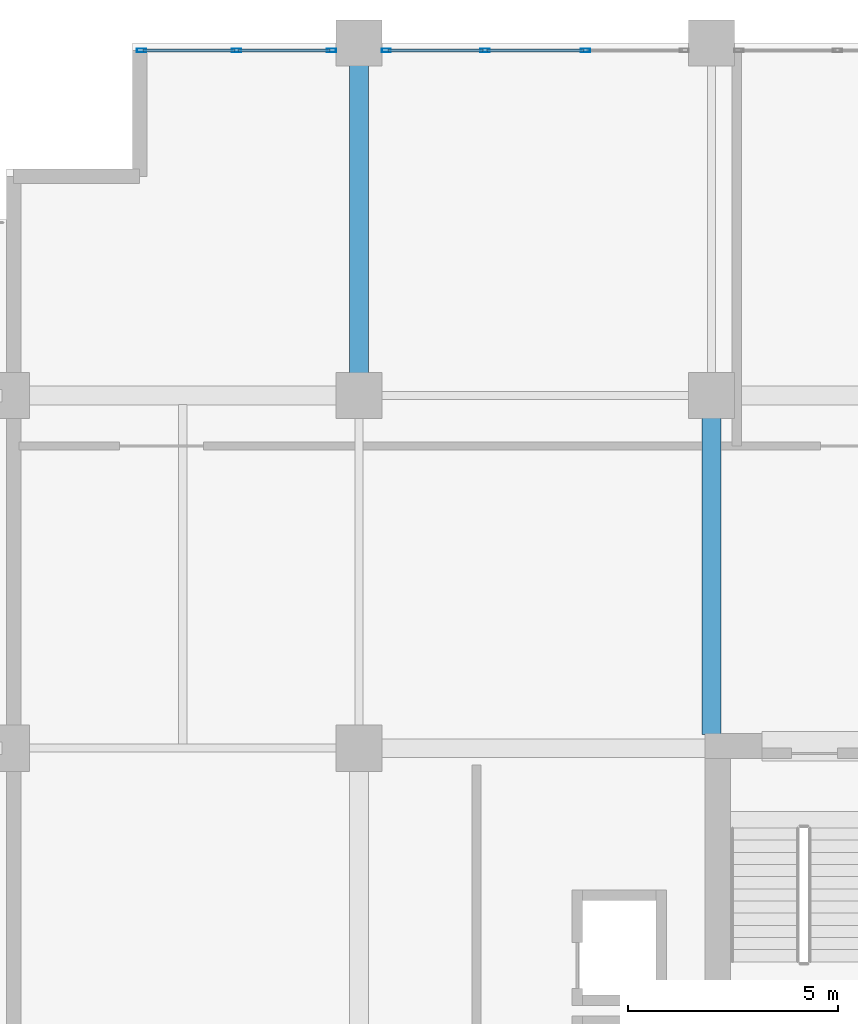
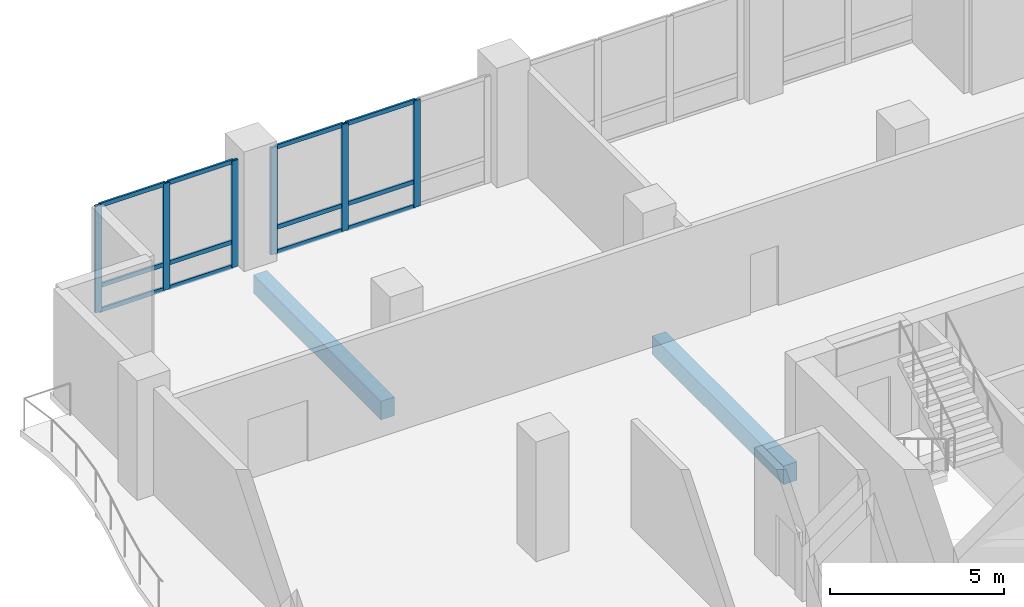
# One storey, part 6 of 21: 18 members, 2 beams, 2 elements without a shape of their own.
"""IFC4 building model written with IfcOpenShell, lengths in metres."""

import ifcopenshell
import ifcopenshell.guid

model = None  # the IFC model being written
_history = None  # IfcOwnerHistory: only IFC2X3 demands one
_inside = {}  # id of a spatial element -> (the spatial element, [elements in it])
_under = {}  # id of a project, library or spatial element -> (it, [spatial elements below it])
_declared = {}  # id of a project -> (the project, [libraries it declares])
_typed = {}  # id of a type object -> (the type object, [elements of that type])
_made_of = {}  # id of a material, layer set ... -> (it, [elements and type objects made of it])


def new_model(schema):
    """Start an empty IFC model of exactly this schema.

    Asked for "IFC4X3", IfcOpenShell would pick the latest addendum, in which some entities
    have other attributes; the version numbers below select the first issue.
    IFC2X3 requires an IfcOwnerHistory on every rooted entity: one is made here for all.
    """
    global model, _history
    if schema == "IFC4X3":
        model = ifcopenshell.file(schema_version=(4, 3, 0, 0))
    else:
        model = ifcopenshell.file(schema=schema)
    _inside.clear()
    _under.clear()
    _declared.clear()
    _typed.clear()
    _made_of.clear()
    _history = None
    if model.schema == "IFC2X3":
        org = make("IfcOrganization", Name="unknown")
        user = make(
            "IfcPersonAndOrganization",
            ThePerson=make("IfcPerson", FamilyName="unknown"),
            TheOrganization=org,
        )
        app = make(
            "IfcApplication",
            ApplicationDeveloper=org,
            Version="unknown",
            ApplicationFullName="unknown",
            ApplicationIdentifier="unknown",
        )
        _history = make(
            "IfcOwnerHistory",
            OwningUser=user,
            OwningApplication=app,
            ChangeAction="ADDED",
            CreationDate=0,
        )
    return model


def make(cls, **values):
    """One entity of the class cls with the attributes given. An attribute that is None is left unset."""
    return model.create_entity(
        cls, **{name: value for name, value in values.items() if value is not None}
    )


def rooted(cls, **values):
    """An entity with a GlobalId (a new one), such as an element, a storey or a relation."""
    return make(cls, GlobalId=ifcopenshell.guid.new(), OwnerHistory=_history, **values)


def si_unit(unit_type, name, prefix=None):
    """IfcSIUnit, for example si_unit("LENGTHUNIT", "METRE", prefix="MILLI")."""
    return make("IfcSIUnit", UnitType=unit_type, Prefix=prefix, Name=name)


def assignment(units):
    """IfcUnitAssignment: the units of a project."""
    return None if units is None else make("IfcUnitAssignment", Units=units)


def point(xyz):
    """IfcCartesianPoint."""
    return None if xyz is None else make("IfcCartesianPoint", Coordinates=xyz)


def direction(xyz):
    """IfcDirection."""
    return None if xyz is None else make("IfcDirection", DirectionRatios=xyz)


def frame(location, z_axis=None, x_axis=None):
    """IfcAxis2Placement3D, a coordinate frame: its origin and axes. An axis left out is left unset."""
    return make(
        "IfcAxis2Placement3D",
        Location=point(location),
        Axis=direction(z_axis),
        RefDirection=direction(x_axis),
    )


def frame_2d(location, x_axis=None):
    """IfcAxis2Placement2D, a coordinate frame in the plane: its origin and x axis."""
    return make(
        "IfcAxis2Placement2D", Location=point(location), RefDirection=direction(x_axis)
    )


def origin():
    """The frame at (0, 0, 0) with its axes left unset."""
    return frame((0.0, 0.0, 0.0))


def origin_2d():
    """The frame at (0, 0) in the plane with its x axis left unset."""
    return frame_2d((0.0, 0.0))


def place(relative_to, where):
    """IfcLocalPlacement: puts the frame where relative to a parent placement (None: the world)."""
    return make(
        "IfcLocalPlacement", PlacementRelTo=relative_to, RelativePlacement=where
    )


def context(
    kind, dimensions, precision=None, world=None, true_north=None, identifier=None
):
    """IfcGeometricRepresentationContext, for example the 3D "Model" context."""
    return make(
        "IfcGeometricRepresentationContext",
        ContextIdentifier=identifier,
        ContextType=kind,
        CoordinateSpaceDimension=dimensions,
        Precision=precision,
        WorldCoordinateSystem=world,
        TrueNorth=true_north,
    )


def subcontext(parent, identifier, kind, view, scale=None):
    """IfcGeometricRepresentationSubContext, for example "Body" below "Model"."""
    return make(
        "IfcGeometricRepresentationSubContext",
        ContextIdentifier=identifier,
        ContextType=kind,
        ParentContext=parent,
        TargetScale=scale,
        TargetView=view,
    )


def project(units=None, contexts=None):
    """IfcProject with its units and contexts."""
    return rooted(
        "IfcProject",
        Name="project",
        RepresentationContexts=contexts,
        UnitsInContext=assignment(units),
    )


def spatial(cls, under=None, at=None, **own):
    """A site, building, storey or space (cls), placed at a placement, below another one or the project."""
    s = rooted(cls, ObjectPlacement=at, **own)
    if under is not None:
        _under.setdefault(under.id(), (under, []))[1].append(s)
    return s


def profile(cls, at=None, kind="AREA", **sizes):
    """A parametric profile (cls). Its sizes go by their IFC names, for example OverallWidth=200.0."""
    return make(cls, ProfileType=kind, Position=at, **sizes)


def rectangle(**sizes):
    """IfcRectangleProfileDef."""
    return profile("IfcRectangleProfileDef", **sizes)


def hollow_rectangle(**sizes):
    """IfcRectangleHollowProfileDef."""
    return profile("IfcRectangleHollowProfileDef", **sizes)


def extrude(swept, where, along, depth):
    """IfcExtrudedAreaSolid: the profile swept, set in the frame where, extruded along a direction by depth."""
    return make(
        "IfcExtrudedAreaSolid",
        SweptArea=swept,
        Position=where,
        ExtrudedDirection=direction(along),
        Depth=depth,
    )


def shape(context_of_items, identifier, shape_type, items):
    """IfcShapeRepresentation: the items that make up one representation, for example the "Body"."""
    return make(
        "IfcShapeRepresentation",
        ContextOfItems=context_of_items,
        RepresentationIdentifier=identifier,
        RepresentationType=shape_type,
        Items=items,
    )


def material(Name=None, Category=None):
    """IfcMaterial."""
    return make("IfcMaterial", Name=Name, Category=Category)


def layer(
    of_material, thickness, ventilated=None, Name=None, Category=None, Priority=None
):
    """IfcMaterialLayer: one layer of a wall or slab, of a material (None: an air gap)."""
    return make(
        "IfcMaterialLayer",
        Material=of_material,
        LayerThickness=thickness,
        IsVentilated=ventilated,
        Name=Name,
        Category=Category,
        Priority=Priority,
    )


def layer_set(layers, Name=None):
    """IfcMaterialLayerSet."""
    return make("IfcMaterialLayerSet", MaterialLayers=layers, LayerSetName=Name)


def material_profile(
    of_material, cross_section, Name=None, Category=None, Priority=None
):
    """IfcMaterialProfile: a cross section and its material."""
    return make(
        "IfcMaterialProfile",
        Name=Name,
        Material=of_material,
        Profile=cross_section,
        Priority=Priority,
        Category=Category,
    )


def profile_set(profiles, Name=None, composite=None):
    """IfcMaterialProfileSet."""
    return make(
        "IfcMaterialProfileSet",
        Name=Name,
        MaterialProfiles=profiles,
        CompositeProfile=composite,
    )


def made_of(thing, what):
    """Note that an element or type object is made of a material, layer set ...; save() writes the relation."""
    if what is not None:
        _made_of.setdefault(what.id(), (what, []))[1].append(thing)
    return thing


def type_object(cls, material=None, **own):
    """A type object (cls), such as IfcWallType, which elements share."""
    return made_of(rooted(cls, **own), material)


def element(
    cls,
    number,
    at=None,
    inside=None,
    cuts=None,
    type_object=None,
    material=None,
    context=None,
    identifier="Body",
    shape_type=None,
    held_by="IfcProductDefinitionShape",
    body=None,
    shapes=None,
    **own,
):
    """One element of the class cls, such as IfcWall. Its Tag is "e" and its number.

    at: its placement. inside: the storey or other place that contains it. cuts: it is an
    opening in that element (IfcRelVoidsElement). A single representation is given by context,
    identifier, shape_type and body (its items); several are given by shapes. held_by: the class
    of the entity that holds the representations. save() writes the other relations.
    """
    e = rooted(cls, Tag="e%d" % number, ObjectPlacement=at, **own)
    if body is not None:
        shapes = [shape(context, identifier, shape_type, body)]
    if shapes is not None:
        e.Representation = make(held_by, Representations=shapes)
    if inside is not None:
        _inside.setdefault(inside.id(), (inside, []))[1].append(e)
    if cuts is not None:
        rooted(
            "IfcRelVoidsElement", RelatingBuildingElement=cuts, RelatedOpeningElement=e
        )
    if type_object is not None:
        _typed.setdefault(type_object.id(), (type_object, []))[1].append(e)
    return made_of(e, material)


def aggregate(whole, parts):
    """IfcRelAggregates: a whole, such as a stair, and the parts it consists of."""
    return rooted("IfcRelAggregates", RelatingObject=whole, RelatedObjects=parts)


def save(model, path):
    """Write the relations noted so far, then the file.

    IfcRelAggregates (storeys below a building ...), IfcRelContainedInSpatialStructure (elements
    in a storey), IfcRelDefinesByType, IfcRelAssociatesMaterial and IfcRelDeclares: one each for
    every whole, place, type object, material and project.
    """
    for whole, parts in _under.values():
        aggregate(whole, parts)
    for where, things in _inside.values():
        rooted(
            "IfcRelContainedInSpatialStructure",
            RelatedElements=things,
            RelatingStructure=where,
        )
    for kind, things in _typed.values():
        rooted("IfcRelDefinesByType", RelatedObjects=things, RelatingType=kind)
    for what, things in _made_of.values():
        rooted("IfcRelAssociatesMaterial", RelatedObjects=things, RelatingMaterial=what)
    for by, libraries in _declared.values():
        rooted("IfcRelDeclares", RelatingContext=by, RelatedDefinitions=libraries)
    model.write(path)


model = new_model("IFC4")

# Units and contexts
model_context = context("Model", 3, precision=1e-05, world=origin(), true_north=direction((0.0, 1.0)))
body_context = subcontext(model_context, "Body", "Model", "MODEL_VIEW")
ifc_project = project(units=[si_unit("LENGTHUNIT", "METRE"), si_unit("AREAUNIT", "SQUARE_METRE"), si_unit("VOLUMEUNIT", "CUBIC_METRE"), si_unit("PLANEANGLEUNIT", "RADIAN"), si_unit("MASSUNIT", "GRAM", prefix="KILO")], contexts=[model_context])

# Site, building, storey
site_placement = place(None, origin())
site = spatial("IfcSite", under=ifc_project, at=site_placement, CompositionType="ELEMENT")
building_placement = place(site_placement, origin())
building = spatial("IfcBuilding", under=site, at=building_placement, Name="Koriwani Terraces Tower", CompositionType="ELEMENT")
storey_placement = place(building_placement, frame((0.0, 0.0, 224.0)))
storey = spatial("IfcBuildingStorey", under=building, at=storey_placement, Name="L55", CompositionType="ELEMENT", Elevation=224.0)

# Beams
ifc_material_1 = material(Name="Concrete C50/60", Category="concrete")
ifc_material_profile_1 = material_profile(ifc_material_1, rectangle(XDim=0.449951171875, YDim=0.64990234375, at=origin_2d()), Name="Concrete C50/60", Category="LoadBearing")
ifc_profile_set_1 = profile_set([ifc_material_profile_1], Name="Concrete C50/60")
beam_type = type_object("IfcBeamType", Name="BEAM_RC_GRID_450X650", PredefinedType="BEAM", material=ifc_profile_set_1)
beam_1_placement = place(storey_placement, frame((8.39990234375, 67.72998046875, -0.554931640625), z_axis=(0.0, 1.0, 0.0), x_axis=(-1.0, 0.0, 0.0)))
element("IfcBeam", 1, at=beam_1_placement, inside=storey, type_object=beam_type, Name="L55 Grid Beam 2 (67.2-75.6m)", PredefinedType="BEAM", context=body_context, shape_type="SweptSolid", body=[
    extrude(rectangle(XDim=0.449951171875, YDim=0.64990234375, at=origin_2d()), origin(), (0.0, 0.0, 1.0), 7.340087890625),
])
beam_2_placement = place(storey_placement, frame((16.800048828125, 59.1298828125, -0.554931640625), z_axis=(0.0, 1.0, 0.0), x_axis=(-1.0, 0.0, 0.0)))
element("IfcBeam", 2, at=beam_2_placement, inside=storey, type_object=beam_type, Name="L55 Grid Beam 3 (58.8-67.2m)", PredefinedType="BEAM", context=body_context, shape_type="SweptSolid", body=[
    extrude(rectangle(XDim=0.449951171875, YDim=0.64990234375, at=origin_2d()), origin(), (0.0, 0.0, 1.0), 7.5400390625),
])

# Curtain wall, members
ifc_material_2 = material(Name="Anodised Bronze Aluminium", Category="aluminium")
ifc_layer = layer(ifc_material_2, 0.219970703125, Name="Anodised Bronze Aluminium")
ifc_layer_set = layer_set([ifc_layer], Name="Anodised Bronze Aluminium")
curtain_wall_type = type_object("IfcCurtainWallType", Name="CW_SKY_LOUNGE", PredefinedType="NOTDEFINED", material=ifc_layer_set)
curtain_wall_1_placement = place(storey_placement, origin())
curtain_wall_1 = element("IfcCurtainWall", 3, at=curtain_wall_1_placement, inside=storey, type_object=curtain_wall_type, Name="L55 Unitised Curtain Wall (N_TIP) Bay 1", PredefinedType="NOTDEFINED")
ifc_material_profile_2 = material_profile(ifc_material_2, hollow_rectangle(XDim=0.0849609375, YDim=0.219970703125, WallThickness=0.008056640625, at=origin_2d()), Name="Anodised Bronze Aluminium", Category="LoadBearing")
ifc_profile_set_2 = profile_set([ifc_material_profile_2], Name="Anodised Bronze Aluminium")
member_type_1 = type_object("IfcMemberType", Name="CW_MULLION_220X85", PredefinedType="MULLION", material=ifc_profile_set_2)
member_1_placement = place(storey_placement, frame((3.217529296875, 75.425048828125, 0.0), z_axis=(0.0, 0.0, 1.0), x_axis=(0.0, 1.0, 0.0)))
member_1 = element("IfcMember", 4, at=member_1_placement, type_object=member_type_1, Name="CW-SKY mullion 1", PredefinedType="MULLION", context=body_context, shape_type="SweptSolid", body=[
    extrude(hollow_rectangle(XDim=0.0849609375, YDim=0.219970703125, WallThickness=0.008056640625, at=origin_2d()), origin(), (0.0, 0.0, 1.0), 3.75),
])
member_2_placement = place(storey_placement, frame((5.482421875, 75.425048828125, 0.0), z_axis=(0.0, 0.0, 1.0), x_axis=(0.0, 1.0, 0.0)))
member_2 = element("IfcMember", 5, at=member_2_placement, type_object=member_type_1, Name="CW-SKY mullion 2", PredefinedType="MULLION", context=body_context, shape_type="SweptSolid", body=[
    extrude(hollow_rectangle(XDim=0.0849609375, YDim=0.219970703125, WallThickness=0.008056640625, at=origin_2d()), origin(), (0.0, 0.0, 1.0), 3.75),
])
member_3_placement = place(storey_placement, frame((7.74755859375, 75.425048828125, 0.0), z_axis=(0.0, 0.0, 1.0), x_axis=(0.0, 1.0, 0.0)))
member_3 = element("IfcMember", 6, at=member_3_placement, type_object=member_type_1, Name="CW-SKY mullion 3", PredefinedType="MULLION", context=body_context, shape_type="SweptSolid", body=[
    extrude(hollow_rectangle(XDim=0.0849609375, YDim=0.219970703125, WallThickness=0.008056640625, at=origin_2d()), origin(), (0.0, 0.0, 1.0), 3.75),
])

curtain_wall_2_placement = place(storey_placement, origin())
curtain_wall_2 = element("IfcCurtainWall", 7, at=curtain_wall_2_placement, inside=storey, type_object=curtain_wall_type, Name="L55 Unitised Curtain Wall (N_TIP) Bay 2", PredefinedType="NOTDEFINED")
member_4_placement = place(storey_placement, frame((9.052490234375, 75.425048828125, 0.0), z_axis=(0.0, 0.0, 1.0), x_axis=(0.0, 1.0, 0.0)))
member_4 = element("IfcMember", 8, at=member_4_placement, type_object=member_type_1, Name="CW-SKY mullion 1", PredefinedType="MULLION", context=body_context, shape_type="SweptSolid", body=[
    extrude(hollow_rectangle(XDim=0.0849609375, YDim=0.219970703125, WallThickness=0.008056640625, at=origin_2d()), origin(), (0.0, 0.0, 1.0), 3.75),
])
member_5_placement = place(storey_placement, frame((11.4033203125, 75.425048828125, 0.0), z_axis=(0.0, 0.0, 1.0), x_axis=(0.0, 1.0, 0.0)))
member_5 = element("IfcMember", 9, at=member_5_placement, type_object=member_type_1, Name="CW-SKY mullion 2", PredefinedType="MULLION", context=body_context, shape_type="SweptSolid", body=[
    extrude(hollow_rectangle(XDim=0.0849609375, YDim=0.219970703125, WallThickness=0.008056640625, at=origin_2d()), origin(), (0.0, 0.0, 1.0), 3.75),
])
member_6_placement = place(storey_placement, frame((13.796630859375, 75.425048828125, 0.0), z_axis=(0.0, 0.0, 1.0), x_axis=(0.0, 1.0, 0.0)))
member_6 = element("IfcMember", 10, at=member_6_placement, type_object=member_type_1, Name="CW-SKY mullion 3", PredefinedType="MULLION", context=body_context, shape_type="SweptSolid", body=[
    extrude(hollow_rectangle(XDim=0.0849609375, YDim=0.219970703125, WallThickness=0.008056640625, at=origin_2d()), origin(), (0.0, 0.0, 1.0), 3.75),
])

# Member
ifc_material_profile_3 = material_profile(ifc_material_2, hollow_rectangle(XDim=0.06494140625, YDim=0.14990234375, WallThickness=0.0048828125, at=origin_2d()), Name="Anodised Bronze Aluminium", Category="LoadBearing")
ifc_profile_set_3 = profile_set([ifc_material_profile_3], Name="Anodised Bronze Aluminium")
member_type_2 = type_object("IfcMemberType", Name="CW_TRANSOM_150X65", PredefinedType="USERDEFINED", material=ifc_profile_set_3)
member_7_placement = place(storey_placement, frame((3.260009765625, 75.425048828125, 0.032470703125), z_axis=(1.0, 0.0, 0.0), x_axis=(0.0, 1.0, 0.0)))
member_7 = element("IfcMember", 11, at=member_7_placement, type_object=member_type_2, Name="CW-SKY transom 1.1", ObjectType="TRANSOM", PredefinedType="USERDEFINED", context=body_context, shape_type="SweptSolid", body=[
    extrude(hollow_rectangle(XDim=0.06494140625, YDim=0.14990234375, WallThickness=0.0048828125, at=origin_2d()), origin(), (0.0, 0.0, 1.0), 2.179931640625),
])

member_8_placement = place(storey_placement, frame((3.260009765625, 75.425048828125, 0.89990234375), z_axis=(1.0, 0.0, 0.0), x_axis=(0.0, 1.0, 0.0)))
member_8 = element("IfcMember", 12, at=member_8_placement, type_object=member_type_2, Name="CW-SKY transom 1.2", ObjectType="TRANSOM", PredefinedType="USERDEFINED", context=body_context, shape_type="SweptSolid", body=[
    extrude(hollow_rectangle(XDim=0.06494140625, YDim=0.14990234375, WallThickness=0.0048828125, at=origin_2d()), origin(), (0.0, 0.0, 1.0), 2.179931640625),
])

member_9_placement = place(storey_placement, frame((3.260009765625, 75.425048828125, 3.717529296875), z_axis=(1.0, 0.0, 0.0), x_axis=(0.0, 1.0, 0.0)))
member_9 = element("IfcMember", 13, at=member_9_placement, type_object=member_type_2, Name="CW-SKY transom 1.3", ObjectType="TRANSOM", PredefinedType="USERDEFINED", context=body_context, shape_type="SweptSolid", body=[
    extrude(hollow_rectangle(XDim=0.06494140625, YDim=0.14990234375, WallThickness=0.0048828125, at=origin_2d()), origin(), (0.0, 0.0, 1.0), 2.179931640625),
])

member_10_placement = place(storey_placement, frame((5.52490234375, 75.425048828125, 0.032470703125), z_axis=(1.0, 0.0, 0.0), x_axis=(0.0, 1.0, 0.0)))
member_10 = element("IfcMember", 14, at=member_10_placement, type_object=member_type_2, Name="CW-SKY transom 2.1", ObjectType="TRANSOM", PredefinedType="USERDEFINED", context=body_context, shape_type="SweptSolid", body=[
    extrude(hollow_rectangle(XDim=0.06494140625, YDim=0.14990234375, WallThickness=0.0048828125, at=origin_2d()), origin(), (0.0, 0.0, 1.0), 2.18017578125),
])

member_11_placement = place(storey_placement, frame((5.52490234375, 75.425048828125, 0.89990234375), z_axis=(1.0, 0.0, 0.0), x_axis=(0.0, 1.0, 0.0)))
member_11 = element("IfcMember", 15, at=member_11_placement, type_object=member_type_2, Name="CW-SKY transom 2.2", ObjectType="TRANSOM", PredefinedType="USERDEFINED", context=body_context, shape_type="SweptSolid", body=[
    extrude(hollow_rectangle(XDim=0.06494140625, YDim=0.14990234375, WallThickness=0.0048828125, at=origin_2d()), origin(), (0.0, 0.0, 1.0), 2.18017578125),
])

member_12_placement = place(storey_placement, frame((5.52490234375, 75.425048828125, 3.717529296875), z_axis=(1.0, 0.0, 0.0), x_axis=(0.0, 1.0, 0.0)))
member_12 = element("IfcMember", 16, at=member_12_placement, type_object=member_type_2, Name="CW-SKY transom 2.3", ObjectType="TRANSOM", PredefinedType="USERDEFINED", context=body_context, shape_type="SweptSolid", body=[
    extrude(hollow_rectangle(XDim=0.06494140625, YDim=0.14990234375, WallThickness=0.0048828125, at=origin_2d()), origin(), (0.0, 0.0, 1.0), 2.18017578125),
])

aggregate(curtain_wall_1, [member_1, member_2, member_3, member_7, member_8, member_9, member_10, member_11, member_12])

member_13_placement = place(storey_placement, frame((9.094970703125, 75.425048828125, 0.032470703125), z_axis=(1.0, 0.0, 0.0), x_axis=(0.0, 1.0, 0.0)))
member_13 = element("IfcMember", 17, at=member_13_placement, type_object=member_type_2, Name="CW-SKY transom 1.1", ObjectType="TRANSOM", PredefinedType="USERDEFINED", context=body_context, shape_type="SweptSolid", body=[
    extrude(hollow_rectangle(XDim=0.06494140625, YDim=0.14990234375, WallThickness=0.0048828125, at=origin_2d()), origin(), (0.0, 0.0, 1.0), 2.265869140625),
])

member_14_placement = place(storey_placement, frame((9.094970703125, 75.425048828125, 0.89990234375), z_axis=(1.0, 0.0, 0.0), x_axis=(0.0, 1.0, 0.0)))
member_14 = element("IfcMember", 18, at=member_14_placement, type_object=member_type_2, Name="CW-SKY transom 1.2", ObjectType="TRANSOM", PredefinedType="USERDEFINED", context=body_context, shape_type="SweptSolid", body=[
    extrude(hollow_rectangle(XDim=0.06494140625, YDim=0.14990234375, WallThickness=0.0048828125, at=origin_2d()), origin(), (0.0, 0.0, 1.0), 2.265869140625),
])

member_15_placement = place(storey_placement, frame((9.094970703125, 75.425048828125, 3.717529296875), z_axis=(1.0, 0.0, 0.0), x_axis=(0.0, 1.0, 0.0)))
member_15 = element("IfcMember", 19, at=member_15_placement, type_object=member_type_2, Name="CW-SKY transom 1.3", ObjectType="TRANSOM", PredefinedType="USERDEFINED", context=body_context, shape_type="SweptSolid", body=[
    extrude(hollow_rectangle(XDim=0.06494140625, YDim=0.14990234375, WallThickness=0.0048828125, at=origin_2d()), origin(), (0.0, 0.0, 1.0), 2.265869140625),
])

member_16_placement = place(storey_placement, frame((11.44580078125, 75.425048828125, 0.032470703125), z_axis=(1.0, 0.0, 0.0), x_axis=(0.0, 1.0, 0.0)))
member_16 = element("IfcMember", 20, at=member_16_placement, type_object=member_type_2, Name="CW-SKY transom 2.1", ObjectType="TRANSOM", PredefinedType="USERDEFINED", context=body_context, shape_type="SweptSolid", body=[
    extrude(hollow_rectangle(XDim=0.06494140625, YDim=0.14990234375, WallThickness=0.0048828125, at=origin_2d()), origin(), (0.0, 0.0, 1.0), 2.308349609375),
])

member_17_placement = place(storey_placement, frame((11.44580078125, 75.425048828125, 0.89990234375), z_axis=(1.0, 0.0, 0.0), x_axis=(0.0, 1.0, 0.0)))
member_17 = element("IfcMember", 21, at=member_17_placement, type_object=member_type_2, Name="CW-SKY transom 2.2", ObjectType="TRANSOM", PredefinedType="USERDEFINED", context=body_context, shape_type="SweptSolid", body=[
    extrude(hollow_rectangle(XDim=0.06494140625, YDim=0.14990234375, WallThickness=0.0048828125, at=origin_2d()), origin(), (0.0, 0.0, 1.0), 2.308349609375),
])

member_18_placement = place(storey_placement, frame((11.44580078125, 75.425048828125, 3.717529296875), z_axis=(1.0, 0.0, 0.0), x_axis=(0.0, 1.0, 0.0)))
member_18 = element("IfcMember", 22, at=member_18_placement, type_object=member_type_2, Name="CW-SKY transom 2.3", ObjectType="TRANSOM", PredefinedType="USERDEFINED", context=body_context, shape_type="SweptSolid", body=[
    extrude(hollow_rectangle(XDim=0.06494140625, YDim=0.14990234375, WallThickness=0.0048828125, at=origin_2d()), origin(), (0.0, 0.0, 1.0), 2.308349609375),
])

aggregate(curtain_wall_2, [member_4, member_5, member_6, member_13, member_14, member_15, member_16, member_17, member_18])

save(model, "model.ifc")
